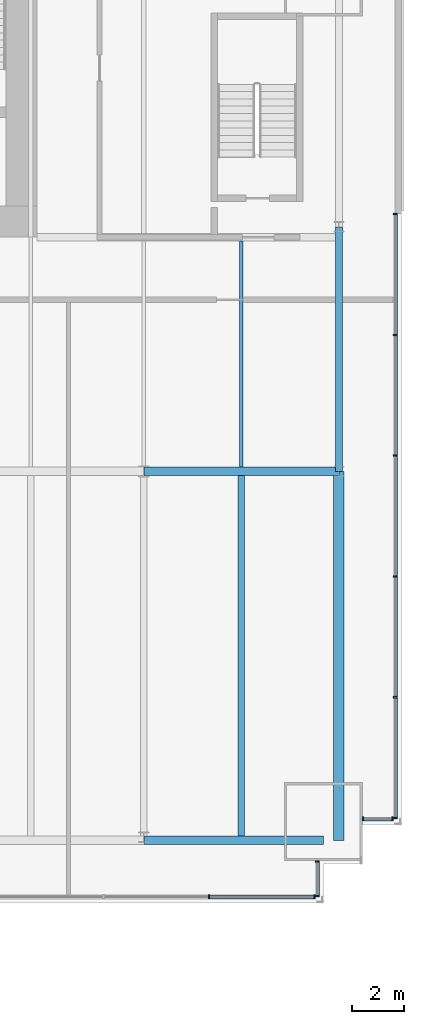
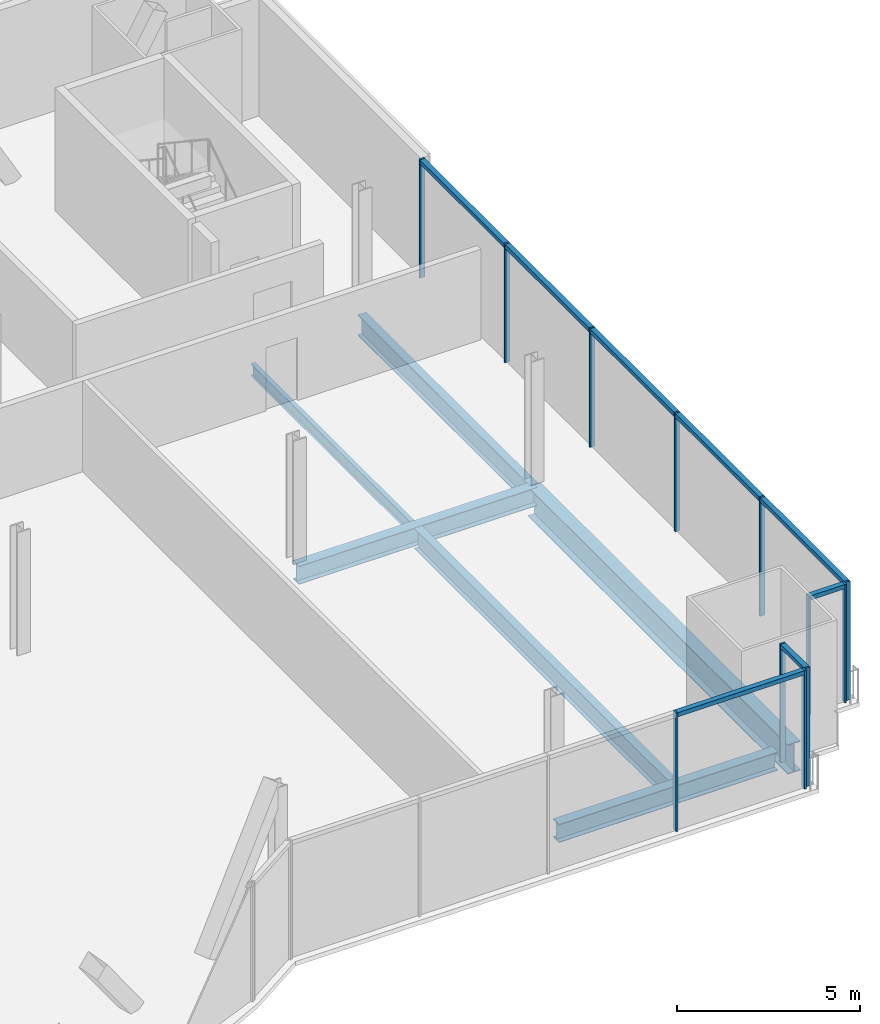
# One storey, part 12 of 21: 20 members, 6 beams, 4 elements without a shape of their own.
"""IFC4 building model written with IfcOpenShell, lengths in metres."""

import ifcopenshell
import ifcopenshell.guid

model = None  # the IFC model being written
_history = None  # IfcOwnerHistory: only IFC2X3 demands one
_inside = {}  # id of a spatial element -> (the spatial element, [elements in it])
_under = {}  # id of a project, library or spatial element -> (it, [spatial elements below it])
_declared = {}  # id of a project -> (the project, [libraries it declares])
_typed = {}  # id of a type object -> (the type object, [elements of that type])
_made_of = {}  # id of a material, layer set ... -> (it, [elements and type objects made of it])


def new_model(schema):
    """Start an empty IFC model of exactly this schema.

    Asked for "IFC4X3", IfcOpenShell would pick the latest addendum, in which some entities
    have other attributes; the version numbers below select the first issue.
    IFC2X3 requires an IfcOwnerHistory on every rooted entity: one is made here for all.
    """
    global model, _history
    if schema == "IFC4X3":
        model = ifcopenshell.file(schema_version=(4, 3, 0, 0))
    else:
        model = ifcopenshell.file(schema=schema)
    _inside.clear()
    _under.clear()
    _declared.clear()
    _typed.clear()
    _made_of.clear()
    _history = None
    if model.schema == "IFC2X3":
        org = make("IfcOrganization", Name="unknown")
        user = make(
            "IfcPersonAndOrganization",
            ThePerson=make("IfcPerson", FamilyName="unknown"),
            TheOrganization=org,
        )
        app = make(
            "IfcApplication",
            ApplicationDeveloper=org,
            Version="unknown",
            ApplicationFullName="unknown",
            ApplicationIdentifier="unknown",
        )
        _history = make(
            "IfcOwnerHistory",
            OwningUser=user,
            OwningApplication=app,
            ChangeAction="ADDED",
            CreationDate=0,
        )
    return model


def make(cls, **values):
    """One entity of the class cls with the attributes given. An attribute that is None is left unset."""
    return model.create_entity(
        cls, **{name: value for name, value in values.items() if value is not None}
    )


def rooted(cls, **values):
    """An entity with a GlobalId (a new one), such as an element, a storey or a relation."""
    return make(cls, GlobalId=ifcopenshell.guid.new(), OwnerHistory=_history, **values)


def si_unit(unit_type, name, prefix=None):
    """IfcSIUnit, for example si_unit("LENGTHUNIT", "METRE", prefix="MILLI")."""
    return make("IfcSIUnit", UnitType=unit_type, Prefix=prefix, Name=name)


def assignment(units):
    """IfcUnitAssignment: the units of a project."""
    return None if units is None else make("IfcUnitAssignment", Units=units)


def point(xyz):
    """IfcCartesianPoint."""
    return None if xyz is None else make("IfcCartesianPoint", Coordinates=xyz)


def direction(xyz):
    """IfcDirection."""
    return None if xyz is None else make("IfcDirection", DirectionRatios=xyz)


def frame(location, z_axis=None, x_axis=None):
    """IfcAxis2Placement3D, a coordinate frame: its origin and axes. An axis left out is left unset."""
    return make(
        "IfcAxis2Placement3D",
        Location=point(location),
        Axis=direction(z_axis),
        RefDirection=direction(x_axis),
    )


def frame_2d(location, x_axis=None):
    """IfcAxis2Placement2D, a coordinate frame in the plane: its origin and x axis."""
    return make(
        "IfcAxis2Placement2D", Location=point(location), RefDirection=direction(x_axis)
    )


def origin():
    """The frame at (0, 0, 0) with its axes left unset."""
    return frame((0.0, 0.0, 0.0))


def origin_2d():
    """The frame at (0, 0) in the plane with its x axis left unset."""
    return frame_2d((0.0, 0.0))


def place(relative_to, where):
    """IfcLocalPlacement: puts the frame where relative to a parent placement (None: the world)."""
    return make(
        "IfcLocalPlacement", PlacementRelTo=relative_to, RelativePlacement=where
    )


def context(
    kind, dimensions, precision=None, world=None, true_north=None, identifier=None
):
    """IfcGeometricRepresentationContext, for example the 3D "Model" context."""
    return make(
        "IfcGeometricRepresentationContext",
        ContextIdentifier=identifier,
        ContextType=kind,
        CoordinateSpaceDimension=dimensions,
        Precision=precision,
        WorldCoordinateSystem=world,
        TrueNorth=true_north,
    )


def subcontext(parent, identifier, kind, view, scale=None):
    """IfcGeometricRepresentationSubContext, for example "Body" below "Model"."""
    return make(
        "IfcGeometricRepresentationSubContext",
        ContextIdentifier=identifier,
        ContextType=kind,
        ParentContext=parent,
        TargetScale=scale,
        TargetView=view,
    )


def project(units=None, contexts=None):
    """IfcProject with its units and contexts."""
    return rooted(
        "IfcProject",
        Name="project",
        RepresentationContexts=contexts,
        UnitsInContext=assignment(units),
    )


def spatial(cls, under=None, at=None, **own):
    """A site, building, storey or space (cls), placed at a placement, below another one or the project."""
    s = rooted(cls, ObjectPlacement=at, **own)
    if under is not None:
        _under.setdefault(under.id(), (under, []))[1].append(s)
    return s


def profile(cls, at=None, kind="AREA", **sizes):
    """A parametric profile (cls). Its sizes go by their IFC names, for example OverallWidth=200.0."""
    return make(cls, ProfileType=kind, Position=at, **sizes)


def rectangle(**sizes):
    """IfcRectangleProfileDef."""
    return profile("IfcRectangleProfileDef", **sizes)


def i_section(**sizes):
    """IfcIShapeProfileDef."""
    return profile("IfcIShapeProfileDef", **sizes)


def extrude(swept, where, along, depth):
    """IfcExtrudedAreaSolid: the profile swept, set in the frame where, extruded along a direction by depth."""
    return make(
        "IfcExtrudedAreaSolid",
        SweptArea=swept,
        Position=where,
        ExtrudedDirection=direction(along),
        Depth=depth,
    )


def shape(context_of_items, identifier, shape_type, items):
    """IfcShapeRepresentation: the items that make up one representation, for example the "Body"."""
    return make(
        "IfcShapeRepresentation",
        ContextOfItems=context_of_items,
        RepresentationIdentifier=identifier,
        RepresentationType=shape_type,
        Items=items,
    )


def material(Name=None, Category=None):
    """IfcMaterial."""
    return make("IfcMaterial", Name=Name, Category=Category)


def material_profile(
    of_material, cross_section, Name=None, Category=None, Priority=None
):
    """IfcMaterialProfile: a cross section and its material."""
    return make(
        "IfcMaterialProfile",
        Name=Name,
        Material=of_material,
        Profile=cross_section,
        Priority=Priority,
        Category=Category,
    )


def profile_set(profiles, Name=None, composite=None):
    """IfcMaterialProfileSet."""
    return make(
        "IfcMaterialProfileSet",
        Name=Name,
        MaterialProfiles=profiles,
        CompositeProfile=composite,
    )


def made_of(thing, what):
    """Note that an element or type object is made of a material, layer set ...; save() writes the relation."""
    if what is not None:
        _made_of.setdefault(what.id(), (what, []))[1].append(thing)
    return thing


def type_object(cls, material=None, **own):
    """A type object (cls), such as IfcWallType, which elements share."""
    return made_of(rooted(cls, **own), material)


def element(
    cls,
    number,
    at=None,
    inside=None,
    cuts=None,
    type_object=None,
    material=None,
    context=None,
    identifier="Body",
    shape_type=None,
    held_by="IfcProductDefinitionShape",
    body=None,
    shapes=None,
    **own,
):
    """One element of the class cls, such as IfcWall. Its Tag is "e" and its number.

    at: its placement. inside: the storey or other place that contains it. cuts: it is an
    opening in that element (IfcRelVoidsElement). A single representation is given by context,
    identifier, shape_type and body (its items); several are given by shapes. held_by: the class
    of the entity that holds the representations. save() writes the other relations.
    """
    e = rooted(cls, Tag="e%d" % number, ObjectPlacement=at, **own)
    if body is not None:
        shapes = [shape(context, identifier, shape_type, body)]
    if shapes is not None:
        e.Representation = make(held_by, Representations=shapes)
    if inside is not None:
        _inside.setdefault(inside.id(), (inside, []))[1].append(e)
    if cuts is not None:
        rooted(
            "IfcRelVoidsElement", RelatingBuildingElement=cuts, RelatedOpeningElement=e
        )
    if type_object is not None:
        _typed.setdefault(type_object.id(), (type_object, []))[1].append(e)
    return made_of(e, material)


def aggregate(whole, parts):
    """IfcRelAggregates: a whole, such as a stair, and the parts it consists of."""
    return rooted("IfcRelAggregates", RelatingObject=whole, RelatedObjects=parts)


def save(model, path):
    """Write the relations noted so far, then the file.

    IfcRelAggregates (storeys below a building ...), IfcRelContainedInSpatialStructure (elements
    in a storey), IfcRelDefinesByType, IfcRelAssociatesMaterial and IfcRelDeclares: one each for
    every whole, place, type object, material and project.
    """
    for whole, parts in _under.values():
        aggregate(whole, parts)
    for where, things in _inside.values():
        rooted(
            "IfcRelContainedInSpatialStructure",
            RelatedElements=things,
            RelatingStructure=where,
        )
    for kind, things in _typed.values():
        rooted("IfcRelDefinesByType", RelatedObjects=things, RelatingType=kind)
    for what, things in _made_of.values():
        rooted("IfcRelAssociatesMaterial", RelatedObjects=things, RelatingMaterial=what)
    for by, libraries in _declared.values():
        rooted("IfcRelDeclares", RelatingContext=by, RelatedDefinitions=libraries)
    model.write(path)


model = new_model("IFC4")

# Units and contexts
model_context = context("Model", 3, precision=1e-05, world=origin(), true_north=direction((0.0, 1.0)))
body_context = subcontext(model_context, "Body", "Model", "MODEL_VIEW")
ifc_project = project(units=[si_unit("LENGTHUNIT", "METRE"), si_unit("AREAUNIT", "SQUARE_METRE"), si_unit("VOLUMEUNIT", "CUBIC_METRE"), si_unit("PLANEANGLEUNIT", "RADIAN"), si_unit("MASSUNIT", "GRAM", prefix="KILO")], contexts=[model_context])

# Site, building, storey
site_placement = place(None, origin())
site = spatial("IfcSite", under=ifc_project, at=site_placement, CompositionType="ELEMENT")
building_placement = place(site_placement, origin())
building = spatial("IfcBuilding", under=site, at=building_placement, Name="Bicima Exchange Tower", CompositionType="ELEMENT")
storey_placement = place(building_placement, frame((0.0, 0.0, 98.10009765625)))
storey = spatial("IfcBuildingStorey", under=building, at=storey_placement, Name="L20", CompositionType="ELEMENT", Elevation=98.10009765625)

# Curtain wall, members
ifc_material_1 = material(Name="Anodised bronze aluminium", Category="aluminium")
curtain_wall_type_1 = type_object("IfcCurtainWallType", Name="End face glass wall", PredefinedType="NOTDEFINED", material=ifc_material_1)
curtain_wall_1_placement = place(storey_placement, origin())
curtain_wall_1 = element("IfcCurtainWall", 1, at=curtain_wall_1_placement, inside=storey, type_object=curtain_wall_type_1, Name="End face glass wall L20 run 19", PredefinedType="NOTDEFINED")
ifc_material_profile_1 = material_profile(ifc_material_1, rectangle(XDim=0.159912109375, YDim=0.06005859375, at=origin_2d()))
ifc_profile_set_1 = profile_set([ifc_material_profile_1], Name="Anodised bronze aluminium")
member_type_1 = type_object("IfcMemberType", Name="End face glass wall mullion 60 x 160", PredefinedType="MULLION", material=ifc_profile_set_1)
member_1_placement = place(storey_placement, frame((35.77001953125, -35.323974609375, 0.0), z_axis=(0.0, 0.0, 1.0), x_axis=(-1.0, 0.0, 0.0)))
member_1 = element("IfcMember", 2, at=member_1_placement, type_object=member_type_1, Name="End face glass wall mullion 1", PredefinedType="MULLION", context=body_context, shape_type="SweptSolid", body=[
    extrude(rectangle(XDim=0.159912109375, YDim=0.06005859375, at=origin_2d()), origin(), (0.0, 0.0, 1.0), 3.949951171875),
])
member_2_placement = place(storey_placement, frame((35.77001953125, -30.68115234375, 0.0), z_axis=(0.0, 0.0, 1.0), x_axis=(-1.0, 0.0, 0.0)))
member_2 = element("IfcMember", 3, at=member_2_placement, type_object=member_type_1, Name="End face glass wall mullion 2", PredefinedType="MULLION", context=body_context, shape_type="SweptSolid", body=[
    extrude(rectangle(XDim=0.159912109375, YDim=0.06005859375, at=origin_2d()), origin(), (0.0, 0.0, 1.0), 3.949951171875),
])
member_3_placement = place(storey_placement, frame((35.77001953125, -26.038330078125, 0.0), z_axis=(0.0, 0.0, 1.0), x_axis=(-1.0, 0.0, 0.0)))
member_3 = element("IfcMember", 4, at=member_3_placement, type_object=member_type_1, Name="End face glass wall mullion 3", PredefinedType="MULLION", context=body_context, shape_type="SweptSolid", body=[
    extrude(rectangle(XDim=0.159912109375, YDim=0.06005859375, at=origin_2d()), origin(), (0.0, 0.0, 1.0), 3.949951171875),
])
member_4_placement = place(storey_placement, frame((35.77001953125, -21.3955078125, 0.0), z_axis=(0.0, 0.0, 1.0), x_axis=(-1.0, 0.0, 0.0)))
member_4 = element("IfcMember", 5, at=member_4_placement, type_object=member_type_1, Name="End face glass wall mullion 4", PredefinedType="MULLION", context=body_context, shape_type="SweptSolid", body=[
    extrude(rectangle(XDim=0.159912109375, YDim=0.06005859375, at=origin_2d()), origin(), (0.0, 0.0, 1.0), 3.949951171875),
])
member_5_placement = place(storey_placement, frame((35.77001953125, -16.752685546875, 0.0), z_axis=(0.0, 0.0, 1.0), x_axis=(-1.0, 0.0, 0.0)))
member_5 = element("IfcMember", 6, at=member_5_placement, type_object=member_type_1, Name="End face glass wall mullion 5", PredefinedType="MULLION", context=body_context, shape_type="SweptSolid", body=[
    extrude(rectangle(XDim=0.159912109375, YDim=0.06005859375, at=origin_2d()), origin(), (0.0, 0.0, 1.0), 3.949951171875),
])
member_6_placement = place(storey_placement, frame((35.77001953125, -12.110107421875, 0.0), z_axis=(0.0, 0.0, 1.0), x_axis=(-1.0, 0.0, 0.0)))
member_6 = element("IfcMember", 7, at=member_6_placement, type_object=member_type_1, Name="End face glass wall mullion 6", PredefinedType="MULLION", context=body_context, shape_type="SweptSolid", body=[
    extrude(rectangle(XDim=0.159912109375, YDim=0.06005859375, at=origin_2d()), origin(), (0.0, 0.0, 1.0), 3.949951171875),
])
ifc_material_profile_2 = material_profile(ifc_material_1, rectangle(XDim=0.159912109375, YDim=0.139892578125, at=origin_2d()))
ifc_profile_set_2 = profile_set([ifc_material_profile_2], Name="Anodised bronze aluminium")
member_type_2 = type_object("IfcMemberType", Name="End face glass wall transom 140 x 160", PredefinedType="USERDEFINED", material=ifc_profile_set_2)
member_7_placement = place(storey_placement, frame((35.77001953125, -35.2939453125, 3.8798828125), z_axis=(0.0, 1.0, 0.0), x_axis=(-1.0, 0.0, 0.0)))
member_7 = element("IfcMember", 8, at=member_7_placement, type_object=member_type_2, Name="End face glass wall transom 1.1", ObjectType="TRANSOM", PredefinedType="USERDEFINED", context=body_context, shape_type="SweptSolid", body=[
    extrude(rectangle(XDim=0.159912109375, YDim=0.139892578125, at=origin_2d()), origin(), (0.0, 0.0, 1.0), 4.582763671875),
])
member_8_placement = place(storey_placement, frame((35.77001953125, -30.651123046875, 3.8798828125), z_axis=(0.0, 1.0, 0.0), x_axis=(-1.0, 0.0, 0.0)))
member_8 = element("IfcMember", 9, at=member_8_placement, type_object=member_type_2, Name="End face glass wall transom 2.1", ObjectType="TRANSOM", PredefinedType="USERDEFINED", context=body_context, shape_type="SweptSolid", body=[
    extrude(rectangle(XDim=0.159912109375, YDim=0.139892578125, at=origin_2d()), origin(), (0.0, 0.0, 1.0), 4.582763671875),
])
member_9_placement = place(storey_placement, frame((35.77001953125, -26.00830078125, 3.8798828125), z_axis=(0.0, 1.0, 0.0), x_axis=(-1.0, 0.0, 0.0)))
member_9 = element("IfcMember", 10, at=member_9_placement, type_object=member_type_2, Name="End face glass wall transom 3.1", ObjectType="TRANSOM", PredefinedType="USERDEFINED", context=body_context, shape_type="SweptSolid", body=[
    extrude(rectangle(XDim=0.159912109375, YDim=0.139892578125, at=origin_2d()), origin(), (0.0, 0.0, 1.0), 4.582763671875),
])
member_10_placement = place(storey_placement, frame((35.77001953125, -21.365478515625, 3.8798828125), z_axis=(0.0, 1.0, 0.0), x_axis=(-1.0, 0.0, 0.0)))
member_10 = element("IfcMember", 11, at=member_10_placement, type_object=member_type_2, Name="End face glass wall transom 4.1", ObjectType="TRANSOM", PredefinedType="USERDEFINED", context=body_context, shape_type="SweptSolid", body=[
    extrude(rectangle(XDim=0.159912109375, YDim=0.139892578125, at=origin_2d()), origin(), (0.0, 0.0, 1.0), 4.582763671875),
])
member_11_placement = place(storey_placement, frame((35.77001953125, -16.722900390625, 3.8798828125), z_axis=(0.0, 1.0, 0.0), x_axis=(-1.0, 0.0, 0.0)))
member_11 = element("IfcMember", 12, at=member_11_placement, type_object=member_type_2, Name="End face glass wall transom 5.1", ObjectType="TRANSOM", PredefinedType="USERDEFINED", context=body_context, shape_type="SweptSolid", body=[
    extrude(rectangle(XDim=0.159912109375, YDim=0.139892578125, at=origin_2d()), origin(), (0.0, 0.0, 1.0), 4.5830078125),
])
aggregate(curtain_wall_1, [member_1, member_2, member_3, member_4, member_5, member_6, member_7, member_8, member_9, member_10, member_11])

# Beams
ifc_material_2 = material(Name="Steel ASTM A992 Gr 50", Category="steel")
ifc_material_profile_3 = material_profile(ifc_material_2, i_section(OverallWidth=0.256591796875, OverallDepth=0.693359375, WebThickness=0.014404296875, FlangeThickness=0.023681640625, at=origin_2d()))
ifc_profile_set_3 = profile_set([ifc_material_profile_3], Name="Steel ASTM A992 Gr 50")
beam_type_1 = type_object("IfcBeamType", Name="End girder W27x114", PredefinedType="BEAM", material=ifc_profile_set_3)
beam_1_placement = place(storey_placement, frame((33.60009765625, -12.60009765625, -0.496826171875), z_axis=(0.0, -1.0, 0.0), x_axis=(1.0, 0.0, 0.0)))
element("IfcBeam", 13, at=beam_1_placement, inside=storey, type_object=beam_type_1, Name="End girder", PredefinedType="BEAM", context=body_context, shape_type="SweptSolid", body=[
    extrude(i_section(OverallWidth=0.256591796875, OverallDepth=0.693359375, WebThickness=0.014404296875, FlangeThickness=0.023681640625, at=origin_2d()), origin(), (0.0, 0.0, 1.0), 9.39990234375),
])
ifc_material_profile_4 = material_profile(ifc_material_2, i_section(OverallWidth=0.4013671875, OverallDepth=0.990478515625, WebThickness=0.0166015625, FlangeThickness=0.031005859375, at=origin_2d()))
ifc_profile_set_4 = profile_set([ifc_material_profile_4], Name="Steel ASTM A992 Gr 50")
beam_type_2 = type_object("IfcBeamType", Name="End girder W40x215", PredefinedType="BEAM", material=ifc_profile_set_4)
beam_2_placement = place(storey_placement, frame((33.60009765625, -22.0, -0.6455078125), z_axis=(0.0, -1.0, 0.0), x_axis=(1.0, 0.0, 0.0)))
element("IfcBeam", 14, at=beam_2_placement, inside=storey, type_object=beam_type_2, Name="End girder", PredefinedType="BEAM", context=body_context, shape_type="SweptSolid", body=[
    extrude(i_section(OverallWidth=0.4013671875, OverallDepth=0.990478515625, WebThickness=0.0166015625, FlangeThickness=0.031005859375, at=origin_2d()), origin(), (0.0, 0.0, 1.0), 14.18408203125),
])
ifc_material_profile_5 = material_profile(ifc_material_2, i_section(OverallWidth=0.140380859375, OverallDepth=0.40380859375, WebThickness=0.007080078125, FlangeThickness=0.01123046875, at=origin_2d()))
ifc_profile_set_5 = profile_set([ifc_material_profile_5], Name="Steel ASTM A992 Gr 50")
beam_type_3 = type_object("IfcBeamType", Name="Floor beam W16x31", PredefinedType="JOIST", material=ifc_profile_set_5)
beam_3_placement = place(storey_placement, frame((29.85009765625, -13.15234375, -0.35205078125), z_axis=(0.0, -1.0, 0.0), x_axis=(1.0, 0.0, 0.0)))
element("IfcBeam", 15, at=beam_3_placement, inside=storey, type_object=beam_type_3, Name="Floor beam", PredefinedType="JOIST", context=body_context, shape_type="SweptSolid", body=[
    extrude(i_section(OverallWidth=0.140380859375, OverallDepth=0.40380859375, WebThickness=0.007080078125, FlangeThickness=0.01123046875, at=origin_2d()), origin(), (0.0, 0.0, 1.0), 8.68505859375),
])
ifc_material_profile_6 = material_profile(ifc_material_2, i_section(OverallWidth=0.25390625, OverallDepth=0.67822265625, WebThickness=0.01171875, FlangeThickness=0.016357421875, at=origin_2d()))
ifc_profile_set_6 = profile_set([ifc_material_profile_6], Name="Steel ASTM A992 Gr 50")
beam_type_4 = type_object("IfcBeamType", Name="Floor beam W27x84", PredefinedType="JOIST", material=ifc_profile_set_6)
beam_4_placement = place(storey_placement, frame((29.85009765625, -22.16259765625, -0.4892578125), z_axis=(0.0, -1.0, 0.0), x_axis=(1.0, 0.0, 0.0)))
element("IfcBeam", 16, at=beam_4_placement, inside=storey, type_object=beam_type_4, Name="Floor beam", PredefinedType="JOIST", context=body_context, shape_type="SweptSolid", body=[
    extrude(i_section(OverallWidth=0.25390625, OverallDepth=0.67822265625, WebThickness=0.01171875, FlangeThickness=0.016357421875, at=origin_2d()), origin(), (0.0, 0.0, 1.0), 13.85888671875),
])
ifc_material_profile_7 = material_profile(ifc_material_2, i_section(OverallWidth=0.3251953125, OverallDepth=0.612060546875, WebThickness=0.0126953125, FlangeThickness=0.01904296875, at=origin_2d()))
ifc_profile_set_7 = profile_set([ifc_material_profile_7], Name="Steel ASTM A992 Gr 50")
beam_type_5 = type_object("IfcBeamType", Name="Front girder W24x104", PredefinedType="BEAM", material=ifc_profile_set_7)
beam_5_placement = place(storey_placement, frame((26.10009765625, -36.18408203125, -0.456298828125), z_axis=(1.0, 0.0, 0.0), x_axis=(0.0, 1.0, 0.0)))
element("IfcBeam", 17, at=beam_5_placement, inside=storey, type_object=beam_type_5, Name="Front girder", PredefinedType="BEAM", context=body_context, shape_type="SweptSolid", body=[
    extrude(i_section(OverallWidth=0.3251953125, OverallDepth=0.612060546875, WebThickness=0.0126953125, FlangeThickness=0.01904296875, at=origin_2d()), origin(), (0.0, 0.0, 1.0), 6.89990234375),
])

# Curtain wall, members
curtain_wall_type_2 = type_object("IfcCurtainWallType", Name="Front glass wall", PredefinedType="NOTDEFINED", material=ifc_material_1)
curtain_wall_2_placement = place(storey_placement, origin())
curtain_wall_2 = element("IfcCurtainWall", 18, at=curtain_wall_2_placement, inside=storey, type_object=curtain_wall_type_2, Name="Front glass wall L20 run 16", PredefinedType="NOTDEFINED")
member_type_3 = type_object("IfcMemberType", Name="Front glass wall mullion 60 x 160", PredefinedType="MULLION", material=ifc_profile_set_1)
member_12_placement = place(storey_placement, frame((28.610595703125, -38.35400390625, 0.0), z_axis=(0.0, 0.0, 1.0), x_axis=(0.0, 1.0, 0.0)))
member_12 = element("IfcMember", 19, at=member_12_placement, type_object=member_type_3, Name="Front glass wall mullion 4", PredefinedType="MULLION", context=body_context, shape_type="SweptSolid", body=[
    extrude(rectangle(XDim=0.159912109375, YDim=0.06005859375, at=origin_2d()), origin(), (0.0, 0.0, 1.0), 3.949951171875),
])
member_13_placement = place(storey_placement, frame((32.659912109375, -38.35400390625, 0.0), z_axis=(0.0, 0.0, 1.0), x_axis=(0.0, 1.0, 0.0)))
member_13 = element("IfcMember", 20, at=member_13_placement, type_object=member_type_3, Name="Front glass wall mullion 5", PredefinedType="MULLION", context=body_context, shape_type="SweptSolid", body=[
    extrude(rectangle(XDim=0.159912109375, YDim=0.06005859375, at=origin_2d()), origin(), (0.0, 0.0, 1.0), 3.949951171875),
])

curtain_wall_3_placement = place(storey_placement, origin())
curtain_wall_3 = element("IfcCurtainWall", 21, at=curtain_wall_3_placement, inside=storey, type_object=curtain_wall_type_2, Name="Front glass wall L20 run 17", PredefinedType="NOTDEFINED")
member_14_placement = place(storey_placement, frame((32.77001953125, -38.323974609375, 0.0), z_axis=(0.0, 0.0, 1.0), x_axis=(-1.0, 0.0, 0.0)))
member_14 = element("IfcMember", 22, at=member_14_placement, type_object=member_type_3, Name="Front glass wall mullion 1", PredefinedType="MULLION", context=body_context, shape_type="SweptSolid", body=[
    extrude(rectangle(XDim=0.159912109375, YDim=0.06005859375, at=origin_2d()), origin(), (0.0, 0.0, 1.0), 3.949951171875),
])
member_15_placement = place(storey_placement, frame((32.77001953125, -36.991943359375, 0.0), z_axis=(0.0, 0.0, 1.0), x_axis=(-1.0, 0.0, 0.0)))
member_15 = element("IfcMember", 23, at=member_15_placement, type_object=member_type_3, Name="Front glass wall mullion 2", PredefinedType="MULLION", context=body_context, shape_type="SweptSolid", body=[
    extrude(rectangle(XDim=0.159912109375, YDim=0.06005859375, at=origin_2d()), origin(), (0.0, 0.0, 1.0), 3.949951171875),
])

curtain_wall_4_placement = place(storey_placement, origin())
curtain_wall_4 = element("IfcCurtainWall", 24, at=curtain_wall_4_placement, inside=storey, type_object=curtain_wall_type_2, Name="Front glass wall L20 run 18", PredefinedType="NOTDEFINED")
member_16_placement = place(storey_placement, frame((34.530029296875, -35.35400390625, 0.0), z_axis=(0.0, 0.0, 1.0), x_axis=(0.0, 1.0, 0.0)))
member_16 = element("IfcMember", 25, at=member_16_placement, type_object=member_type_3, Name="Front glass wall mullion 1", PredefinedType="MULLION", context=body_context, shape_type="SweptSolid", body=[
    extrude(rectangle(XDim=0.159912109375, YDim=0.06005859375, at=origin_2d()), origin(), (0.0, 0.0, 1.0), 3.949951171875),
])
member_17_placement = place(storey_placement, frame((35.659912109375, -35.35400390625, 0.0), z_axis=(0.0, 0.0, 1.0), x_axis=(0.0, 1.0, 0.0)))
member_17 = element("IfcMember", 26, at=member_17_placement, type_object=member_type_3, Name="Front glass wall mullion 2", PredefinedType="MULLION", context=body_context, shape_type="SweptSolid", body=[
    extrude(rectangle(XDim=0.159912109375, YDim=0.06005859375, at=origin_2d()), origin(), (0.0, 0.0, 1.0), 3.949951171875),
])

# Member
member_type_4 = type_object("IfcMemberType", Name="Front glass wall transom 140 x 160", PredefinedType="USERDEFINED", material=ifc_profile_set_2)
member_18_placement = place(storey_placement, frame((28.640380859375, -38.35400390625, 3.8798828125), z_axis=(1.0, 0.0, 0.0), x_axis=(0.0, 1.0, 0.0)))
member_18 = element("IfcMember", 27, at=member_18_placement, type_object=member_type_4, Name="Front glass wall transom 4.1", ObjectType="TRANSOM", PredefinedType="USERDEFINED", context=body_context, shape_type="SweptSolid", body=[
    extrude(rectangle(XDim=0.159912109375, YDim=0.139892578125, at=origin_2d()), origin(), (0.0, 0.0, 1.0), 3.989501953125),
])

aggregate(curtain_wall_2, [member_12, member_13, member_18])

member_19_placement = place(storey_placement, frame((32.77001953125, -38.2939453125, 3.8798828125), z_axis=(0.0, 1.0, 0.0), x_axis=(-1.0, 0.0, 0.0)))
member_19 = element("IfcMember", 28, at=member_19_placement, type_object=member_type_4, Name="Front glass wall transom 1.1", ObjectType="TRANSOM", PredefinedType="USERDEFINED", context=body_context, shape_type="SweptSolid", body=[
    extrude(rectangle(XDim=0.159912109375, YDim=0.139892578125, at=origin_2d()), origin(), (0.0, 0.0, 1.0), 1.27197265625),
])

aggregate(curtain_wall_3, [member_14, member_15, member_19])

member_20_placement = place(storey_placement, frame((34.56005859375, -35.35400390625, 3.8798828125), z_axis=(1.0, 0.0, 0.0), x_axis=(0.0, 1.0, 0.0)))
member_20 = element("IfcMember", 29, at=member_20_placement, type_object=member_type_4, Name="Front glass wall transom 1.1", ObjectType="TRANSOM", PredefinedType="USERDEFINED", context=body_context, shape_type="SweptSolid", body=[
    extrude(rectangle(XDim=0.159912109375, YDim=0.139892578125, at=origin_2d()), origin(), (0.0, 0.0, 1.0), 1.06982421875),
])

aggregate(curtain_wall_4, [member_16, member_17, member_20])

# Beam
beam_type_6 = type_object("IfcBeamType", Name="Row girder W24x104", PredefinedType="BEAM", material=ifc_profile_set_7)
beam_6_placement = place(storey_placement, frame((26.10009765625, -22.0, -0.456298828125), z_axis=(1.0, 0.0, 0.0), x_axis=(0.0, 1.0, 0.0)))
element("IfcBeam", 30, at=beam_6_placement, inside=storey, type_object=beam_type_6, Name="Row girder", PredefinedType="BEAM", context=body_context, shape_type="SweptSolid", body=[
    extrude(i_section(OverallWidth=0.3251953125, OverallDepth=0.612060546875, WebThickness=0.0126953125, FlangeThickness=0.01904296875, at=origin_2d()), origin(), (0.0, 0.0, 1.0), 7.5),
])

save(model, "model.ifc")
